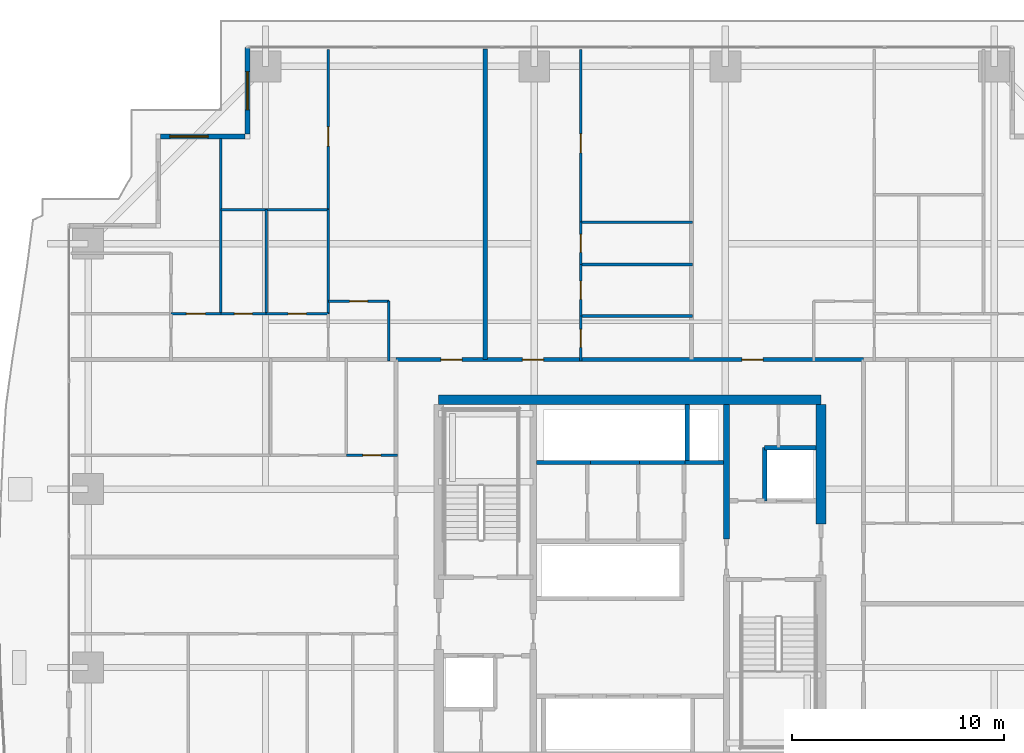
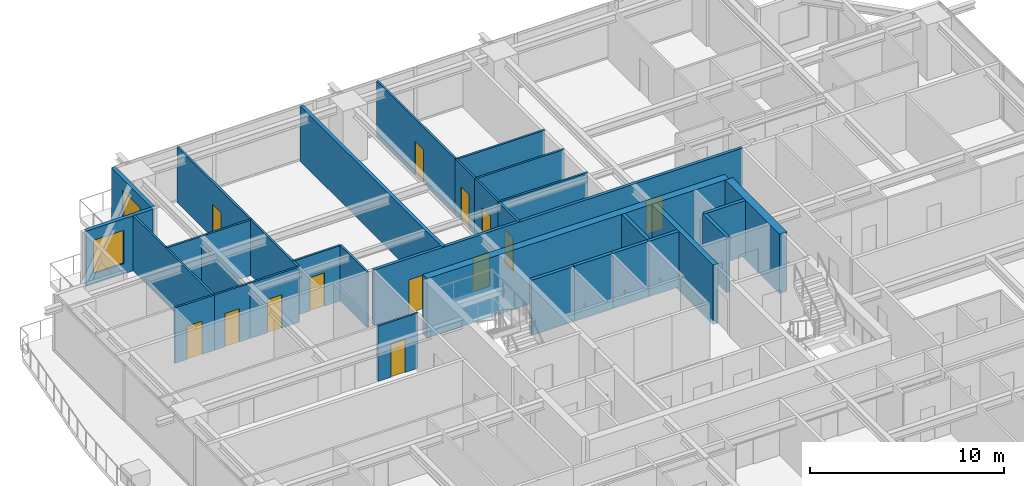
# One storey, part 30 of 39: 32 walls, 13 doors, 2 windows, 15 openings.
"""IFC4 building model written with IfcOpenShell, lengths in metres."""

from ifc_helpers import new_model, si_unit, direction, frame, frame_2d, origin, place, context, subcontext, project, spatial, rectangle, extrude, source, transform, mapped, material, layer, layer_set, type_object, element, fill, save


model = new_model("IFC4")

# Units and contexts
model_context = context("Model", 3, precision=1e-05, world=origin(), true_north=direction((0.0, 1.0)))
body_context = subcontext(model_context, "Body", "Model", "MODEL_VIEW")
ifc_project = project(units=[si_unit("LENGTHUNIT", "METRE"), si_unit("AREAUNIT", "SQUARE_METRE"), si_unit("VOLUMEUNIT", "CUBIC_METRE"), si_unit("PLANEANGLEUNIT", "RADIAN"), si_unit("MASSUNIT", "GRAM", prefix="KILO")], contexts=[model_context])

# Site, building, storey
site_placement = place(None, origin())
site = spatial("IfcSite", under=ifc_project, at=site_placement, CompositionType="ELEMENT")
building_placement = place(site_placement, origin())
building = spatial("IfcBuilding", under=site, at=building_placement, Name="Serunith Strait Residences", CompositionType="ELEMENT")
storey_placement = place(building_placement, frame((0.0, 0.0, 60.449951171875)))
storey = spatial("IfcBuildingStorey", under=building, at=storey_placement, Name="L14", CompositionType="ELEMENT", Elevation=60.449951171875)

# Wall, opening, window
ifc_material_1 = material(Name="Pale-Champagne Aluminium Insulated Panel", Category="aluminium")
ifc_layer_1 = layer(ifc_material_1, 0.219970703125, Name="Pale-Champagne Aluminium Insulated Panel")
ifc_layer_set_1 = layer_set([ifc_layer_1], Name="Pale-Champagne Aluminium Insulated Panel")
wall_type_1 = type_object("IfcWallType", Name="EW-ALUM-220", PredefinedType="ELEMENTEDWALL", material=ifc_layer_set_1)
wall_1_placement = place(storey_placement, frame((14.39990234375, 50.199951171875, 0.0), z_axis=(0.0, 0.0, 1.0), x_axis=(0.0, -1.0, 0.0)))
wall_1 = element("IfcWall", 1, at=wall_1_placement, inside=storey, type_object=wall_type_1, Name="L14 Girih Serrated Corner Wall 12", PredefinedType="ELEMENTEDWALL", context=body_context, shape_type="SweptSolid", body=[
    extrude(rectangle(XDim=4.08984375, YDim=0.219970703125, at=frame_2d((2.044921875, 0.0))), origin(), (0.0, 0.0, 1.0), 3.47509765625),
])
opening_1_placement = place(wall_1_placement, frame((1.14501953125, 0.0, 0.64990234375)))
opening_1 = element("IfcOpeningElement", 2, at=opening_1_placement, cuts=wall_1, Name="Opening W-01", PredefinedType="OPENING", context=body_context, shape_type="SweptSolid", body=[
    extrude(rectangle(XDim=1.800048828125, YDim=2.10009765625, at=frame_2d((0.89990234375, 1.050048828125))), frame((0.0, 0.1201171875, 0.0), z_axis=(0.0, -1.0, 0.0), x_axis=(1.0, 0.0, 0.0)), (0.0, 0.0, 1.0), 0.239990234375),
])
ifc_material_2 = material(Name="Ceramic-Fritted Operable Aluminium Window Glass", Category="aluminium")
window_type = type_object("IfcWindowType", Name="WIN-C1", PartitioningType="DOUBLE_PANEL_VERTICAL", PredefinedType="WINDOW", material=ifc_material_2)
shared_shape_1 = source(origin(), body_context, "Body", "SweptSolid", [
    extrude(rectangle(XDim=1.800048828125, YDim=2.10009765625, at=frame_2d((0.89990234375, 1.050048828125))), frame((0.0, 0.030029296875, 0.0), z_axis=(0.0, -1.0, 0.0), x_axis=(1.0, 0.0, 0.0)), (0.0, 0.0, 1.0), 0.06005859375),
])
window_1_placement = place(opening_1_placement, origin())
window_1 = element("IfcWindow", 3, at=window_1_placement, inside=storey, type_object=window_type, Name="L14 Corner Operable Fritted Window 12", OverallHeight=2.10009765625, OverallWidth=1.800048828125, PartitioningType="SINGLE_PANEL", PredefinedType="WINDOW", context=body_context, shape_type="MappedRepresentation", body=[
    mapped(shared_shape_1, transform((0.0, 0.0, 0.0), scale=1.0)),
])
fill(opening_1, window_1)

wall_2_placement = place(storey_placement, frame((14.2900390625, 46.0, 0.0), z_axis=(0.0, 0.0, 1.0), x_axis=(-1.0, 0.0, 0.0)))
wall_2 = element("IfcWall", 4, at=wall_2_placement, inside=storey, type_object=wall_type_1, Name="L14 Girih Serrated Corner Wall 13", PredefinedType="ELEMENTEDWALL", context=body_context, shape_type="SweptSolid", body=[
    extrude(rectangle(XDim=3.97998046875, YDim=0.219970703125, at=frame_2d((1.989990234375, 0.0))), origin(), (0.0, 0.0, 1.0), 3.47509765625),
])
opening_2_placement = place(wall_2_placement, frame((1.743896484375, 0.0, 0.64990234375)))
opening_2 = element("IfcOpeningElement", 5, at=opening_2_placement, cuts=wall_2, Name="Opening W-01", PredefinedType="OPENING", context=body_context, shape_type="SweptSolid", body=[
    extrude(rectangle(XDim=1.800048828125, YDim=2.10009765625, at=frame_2d((0.89990234375, 1.050048828125))), frame((0.0, 0.1201171875, 0.0), z_axis=(0.0, -1.0, 0.0), x_axis=(1.0, 0.0, 0.0)), (0.0, 0.0, 1.0), 0.239990234375),
])
window_2_placement = place(opening_2_placement, origin())
window_2 = element("IfcWindow", 6, at=window_2_placement, inside=storey, type_object=window_type, Name="L14 Corner Operable Fritted Window 13", OverallHeight=2.10009765625, OverallWidth=1.800048828125, PartitioningType="SINGLE_PANEL", PredefinedType="WINDOW", context=body_context, shape_type="MappedRepresentation", body=[
    mapped(shared_shape_1, transform((0.0, 0.0, 0.0), scale=1.0)),
])
fill(opening_2, window_2)

# Wall, openings, doors
ifc_material_3 = material(Name="Fire-rated acoustic gypsum partition")
ifc_layer_2 = layer(ifc_material_3, 0.179931640625, Name="Fire-rated acoustic gypsum partition")
ifc_layer_set_2 = layer_set([ifc_layer_2], Name="Fire-rated acoustic gypsum partition")
wall_type_2 = type_object("IfcWallType", Name="IW-CORR-180", PredefinedType="PARTITIONING", material=ifc_layer_set_2)
wall_3_placement = place(storey_placement, frame((21.402099609375, 35.5, 0.0), z_axis=(0.0, 0.0, 1.0), x_axis=(1.0, 0.0, 0.0)))
wall_3 = element("IfcWall", 7, at=wall_3_placement, inside=storey, type_object=wall_type_2, Name="L14 Partition Wall 027", PredefinedType="PARTITIONING", context=body_context, shape_type="SweptSolid", body=[
    extrude(rectangle(XDim=21.995849609375, YDim=0.179931640625, at=frame_2d((10.998046875, 0.0))), origin(), (0.0, 0.0, 1.0), 3.489990234375),
])
opening_3_placement = place(wall_3_placement, frame((2.10009765625, 0.0, 0.0)))
opening_3 = element("IfcOpeningElement", 8, at=opening_3_placement, cuts=wall_3, Name="Opening D-APT1000", PredefinedType="OPENING", context=body_context, shape_type="SweptSolid", body=[
    extrude(rectangle(XDim=1.0, YDim=2.14990234375, at=frame_2d((0.5, 1.074951171875))), frame((0.0, 0.10009765625, 0.0), z_axis=(0.0, -1.0, 0.0), x_axis=(1.0, 0.0, 0.0)), (0.0, 0.0, 1.0), 0.199951171875),
])
opening_4_placement = place(wall_3_placement, frame((5.94189453125, 0.0, 0.0)))
opening_4 = element("IfcOpeningElement", 9, at=opening_4_placement, cuts=wall_3, Name="Opening D-APT1000", PredefinedType="OPENING", context=body_context, shape_type="SweptSolid", body=[
    extrude(rectangle(XDim=1.0, YDim=2.14990234375, at=frame_2d((0.5, 1.074951171875))), frame((0.0, 0.10009765625, 0.0), z_axis=(0.0, -1.0, 0.0), x_axis=(1.0, 0.0, 0.0)), (0.0, 0.0, 1.0), 0.199951171875),
])
opening_5_placement = place(wall_3_placement, frame((16.27197265625, 0.0, 0.0)))
opening_5 = element("IfcOpeningElement", 10, at=opening_5_placement, cuts=wall_3, Name="Opening D-APT1000", PredefinedType="OPENING", context=body_context, shape_type="SweptSolid", body=[
    extrude(rectangle(XDim=1.0, YDim=2.14990234375, at=frame_2d((0.5, 1.074951171875))), frame((0.0, 0.10009765625, 0.0), z_axis=(0.0, -1.0, 0.0), x_axis=(1.0, 0.0, 0.0)), (0.0, 0.0, 1.0), 0.199951171875),
])
ifc_material_4 = material(Name="Solid timber engineered fire door", Category="wood")
door_type_1 = type_object("IfcDoorType", Name="ID-APT-1000", OperationType="NOTDEFINED", PredefinedType="DOOR", material=ifc_material_4)
shared_shape_2 = source(origin(), body_context, "Body", "SweptSolid", [
    extrude(rectangle(XDim=1.0, YDim=2.14990234375, at=frame_2d((0.5, 1.074951171875))), frame((0.0, 0.02490234375, 0.0), z_axis=(0.0, -1.0, 0.0), x_axis=(1.0, 0.0, 0.0)), (0.0, 0.0, 1.0), 0.050048828125),
])
door_1_placement = place(opening_3_placement, origin())
door_1 = element("IfcDoor", 11, at=door_1_placement, inside=storey, type_object=door_type_1, Name="L14 Unit 03 Entrance Door", OperationType="SINGLE_SWING_RIGHT", OverallHeight=2.14990234375, OverallWidth=1.0, PredefinedType="DOOR", context=body_context, shape_type="MappedRepresentation", body=[
    mapped(shared_shape_2, transform((0.0, 0.0, 0.0), scale=1.0)),
])
fill(opening_3, door_1)
door_2_placement = place(opening_4_placement, origin())
door_2 = element("IfcDoor", 12, at=door_2_placement, inside=storey, type_object=door_type_1, Name="L14 Unit 04 Entrance Door", OperationType="SINGLE_SWING_LEFT", OverallHeight=2.14990234375, OverallWidth=1.0, PredefinedType="DOOR", context=body_context, shape_type="MappedRepresentation", body=[
    mapped(shared_shape_2, transform((0.0, 0.0, 0.0), scale=1.0)),
])
fill(opening_4, door_2)
door_3_placement = place(opening_5_placement, origin())
door_3 = element("IfcDoor", 13, at=door_3_placement, inside=storey, type_object=door_type_1, Name="L14 Unit 05 Entrance Door", OperationType="SINGLE_SWING_RIGHT", OverallHeight=2.14990234375, OverallWidth=1.0, PredefinedType="DOOR", context=body_context, shape_type="MappedRepresentation", body=[
    mapped(shared_shape_2, transform((0.0, 0.0, 0.0), scale=1.0)),
])
fill(opening_5, door_3)

# Wall, opening, door
ifc_material_5 = material(Name="Lightweight steel-stud gypsum partition", Category="steel")
ifc_layer_3 = layer(ifc_material_5, 0.1201171875, Name="Lightweight steel-stud gypsum partition")
ifc_layer_set_3 = layer_set([ifc_layer_3], Name="Lightweight steel-stud gypsum partition")
wall_type_3 = type_object("IfcWallType", Name="IW-PART-120", PredefinedType="PARTITIONING", material=ifc_layer_set_3)
wall_4_placement = place(storey_placement, frame((18.2099609375, 38.25, 0.0), z_axis=(0.0, 0.0, 1.0), x_axis=(1.0, 0.0, 0.0)))
wall_4 = element("IfcWall", 14, at=wall_4_placement, inside=storey, type_object=wall_type_3, Name="L14 Partition Wall 064", PredefinedType="PARTITIONING", context=body_context, shape_type="SweptSolid", body=[
    extrude(rectangle(XDim=2.85009765625, YDim=0.1201171875, at=frame_2d((1.425048828125, 0.0))), origin(), (0.0, 0.0, 1.0), 3.489990234375),
])
opening_6_placement = place(wall_4_placement, frame((1.0, 0.0, 0.0)))
opening_6 = element("IfcOpeningElement", 15, at=opening_6_placement, cuts=wall_4, Name="Opening D-RM850", PredefinedType="OPENING", context=body_context, shape_type="SweptSolid", body=[
    extrude(rectangle(XDim=0.85009765625, YDim=2.10009765625, at=frame_2d((0.425048828125, 1.050048828125))), frame((0.0, 0.070068359375, 0.0), z_axis=(0.0, -1.0, 0.0), x_axis=(1.0, 0.0, 0.0)), (0.0, 0.0, 1.0), 0.14013671875),
])
ifc_material_6 = material(Name="Engineered timber flush study and kitchen door", Category="wood")
door_type_2 = type_object("IfcDoorType", Name="ID-ROOM-850", OperationType="NOTDEFINED", PredefinedType="DOOR", material=ifc_material_6)
shared_shape_3 = source(origin(), body_context, "Body", "SweptSolid", [
    extrude(rectangle(XDim=0.85009765625, YDim=2.10009765625, at=frame_2d((0.425048828125, 1.050048828125))), frame((0.0, 0.02490234375, 0.0), z_axis=(0.0, -1.0, 0.0), x_axis=(1.0, 0.0, 0.0)), (0.0, 0.0, 1.0), 0.050048828125),
])
door_4_placement = place(opening_6_placement, origin())
door_4 = element("IfcDoor", 16, at=door_4_placement, inside=storey, type_object=door_type_2, Name="L14 Kitchen 1403 Door", OperationType="SINGLE_SWING_LEFT", OverallHeight=2.10009765625, OverallWidth=0.85009765625, PredefinedType="DOOR", context=body_context, shape_type="MappedRepresentation", body=[
    mapped(shared_shape_3, transform((0.0, 0.0, 0.0), scale=1.0)),
])
fill(opening_6, door_4)

# Wall
wall_5_placement = place(storey_placement, frame((21.06005859375, 38.25, 0.0), z_axis=(0.0, 0.0, 1.0), x_axis=(0.0, -1.0, 0.0)))
element("IfcWall", 17, at=wall_5_placement, inside=storey, type_object=wall_type_3, Name="L14 Partition Wall 065", PredefinedType="PARTITIONING", context=body_context, shape_type="SweptSolid", body=[
    extrude(rectangle(XDim=2.81005859375, YDim=0.1201171875, at=frame_2d((1.405029296875, 0.0))), origin(), (0.0, 0.0, 1.0), 3.489990234375),
])

# Wall, opening, door
wall_6_placement = place(storey_placement, frame((18.2099609375, 50.10498046875, 0.0), z_axis=(0.0, 0.0, 1.0), x_axis=(0.0, -1.0, 0.0)))
wall_6 = element("IfcWall", 18, at=wall_6_placement, inside=storey, type_object=wall_type_3, Name="L14 Partition Wall 067", PredefinedType="PARTITIONING", context=body_context, shape_type="SweptSolid", body=[
    extrude(rectangle(XDim=7.546875, YDim=0.1201171875, at=frame_2d((3.7734375, 0.0))), origin(), (0.0, 0.0, 1.0), 3.489990234375),
])
opening_7_placement = place(wall_6_placement, frame((3.656005859375, 0.0, 0.0)))
opening_7 = element("IfcOpeningElement", 19, at=opening_7_placement, cuts=wall_6, Name="Opening D-RM900", PredefinedType="OPENING", context=body_context, shape_type="SweptSolid", body=[
    extrude(rectangle(XDim=0.89990234375, YDim=2.10009765625, at=frame_2d((0.449951171875, 1.050048828125))), frame((0.0, 0.070068359375, 0.0), z_axis=(0.0, -1.0, 0.0), x_axis=(1.0, 0.0, 0.0)), (0.0, 0.0, 1.0), 0.14013671875),
])
ifc_material_7 = material(Name="Engineered timber flush bedroom door", Category="wood")
door_type_3 = type_object("IfcDoorType", Name="ID-ROOM-900", OperationType="NOTDEFINED", PredefinedType="DOOR", material=ifc_material_7)
shared_shape_4 = source(origin(), body_context, "Body", "SweptSolid", [
    extrude(rectangle(XDim=0.89990234375, YDim=2.10009765625, at=frame_2d((0.449951171875, 1.050048828125))), frame((0.0, 0.02490234375, 0.0), z_axis=(0.0, -1.0, 0.0), x_axis=(1.0, 0.0, 0.0)), (0.0, 0.0, 1.0), 0.050048828125),
])
door_5_placement = place(opening_7_placement, origin())
door_5 = element("IfcDoor", 20, at=door_5_placement, inside=storey, type_object=door_type_3, Name="L14 Formal Dining Room 1 1403 Door", OperationType="SINGLE_SWING_LEFT", OverallHeight=2.10009765625, OverallWidth=0.89990234375, PredefinedType="DOOR", context=body_context, shape_type="MappedRepresentation", body=[
    mapped(shared_shape_4, transform((0.0, 0.0, 0.0), scale=1.0)),
])
fill(opening_7, door_5)

# Walls
wall_7_placement = place(storey_placement, frame((18.2099609375, 42.555908203125, 0.0), z_axis=(0.0, 0.0, 1.0), x_axis=(0.0, -1.0, 0.0)))
element("IfcWall", 21, at=wall_7_placement, inside=storey, type_object=wall_type_3, Name="L14 Partition Wall 068", PredefinedType="PARTITIONING", context=body_context, shape_type="SweptSolid", body=[
    extrude(rectangle(XDim=4.90380859375, YDim=0.1201171875, at=frame_2d((2.451904296875, 0.0))), origin(), (0.0, 0.0, 1.0), 3.489990234375),
])
wall_8_placement = place(storey_placement, frame((13.14990234375, 42.55810546875, 0.0), z_axis=(0.0, 0.0, 1.0), x_axis=(1.0, 0.0, 0.0)))
element("IfcWall", 22, at=wall_8_placement, inside=storey, type_object=wall_type_3, Name="L14 Partition Wall 069", PredefinedType="PARTITIONING", context=body_context, shape_type="SweptSolid", body=[
    extrude(rectangle(XDim=5.06005859375, YDim=0.1201171875, at=frame_2d((2.530029296875, 0.0))), origin(), (0.0, 0.0, 1.0), 3.489990234375),
])
wall_9_placement = place(storey_placement, frame((13.14990234375, 45.905029296875, 0.0), z_axis=(0.0, 0.0, 1.0), x_axis=(0.0, -1.0, 0.0)))
element("IfcWall", 23, at=wall_9_placement, inside=storey, type_object=wall_type_3, Name="L14 Partition Wall 070", PredefinedType="PARTITIONING", context=body_context, shape_type="SweptSolid", body=[
    extrude(rectangle(XDim=8.255126953125, YDim=0.1201171875, at=frame_2d((4.12744140625, 0.0))), origin(), (0.0, 0.0, 1.0), 3.489990234375),
])
wall_10_placement = place(storey_placement, frame((15.27490234375, 42.55810546875, 0.0), z_axis=(0.0, 0.0, 1.0), x_axis=(0.0, -1.0, 0.0)))
element("IfcWall", 24, at=wall_10_placement, inside=storey, type_object=wall_type_3, Name="L14 Partition Wall 071", PredefinedType="PARTITIONING", context=body_context, shape_type="SweptSolid", body=[
    extrude(rectangle(XDim=4.908203125, YDim=0.1201171875, at=frame_2d((2.4541015625, 0.0))), origin(), (0.0, 0.0, 1.0), 2.922119140625),
])

# Wall, opening, door
wall_11_placement = place(storey_placement, frame((13.14990234375, 37.64990234375, 0.0), z_axis=(0.0, 0.0, 1.0), x_axis=(1.0, 0.0, 0.0)))
wall_11 = element("IfcWall", 25, at=wall_11_placement, inside=storey, type_object=wall_type_3, Name="L14 Partition Wall 072", PredefinedType="PARTITIONING", context=body_context, shape_type="SweptSolid", body=[
    extrude(rectangle(XDim=2.125, YDim=0.1201171875, at=frame_2d((1.0625, 0.0))), origin(), (0.0, 0.0, 1.0), 3.489990234375),
])
opening_8_placement = place(wall_11_placement, frame((0.636962890625, 0.0, 0.0)))
opening_8 = element("IfcOpeningElement", 26, at=opening_8_placement, cuts=wall_11, Name="Opening D-BTH850", PredefinedType="OPENING", context=body_context, shape_type="SweptSolid", body=[
    extrude(rectangle(XDim=0.85009765625, YDim=2.10009765625, at=frame_2d((0.425048828125, 1.050048828125))), frame((0.0, 0.070068359375, 0.0), z_axis=(0.0, -1.0, 0.0), x_axis=(1.0, 0.0, 0.0)), (0.0, 0.0, 1.0), 0.14013671875),
])
ifc_material_8 = material(Name="Moisture-resistant timber bathroom door", Category="wood")
door_type_4 = type_object("IfcDoorType", Name="ID-BATH-850", OperationType="NOTDEFINED", PredefinedType="DOOR", material=ifc_material_8)
door_6_placement = place(opening_8_placement, origin())
door_6 = element("IfcDoor", 27, at=door_6_placement, inside=storey, type_object=door_type_4, Name="L14 Bathroom 1403 Door", OperationType="SINGLE_SWING_RIGHT", OverallHeight=2.10009765625, OverallWidth=0.85009765625, PredefinedType="DOOR", context=body_context, shape_type="MappedRepresentation", body=[
    mapped(shared_shape_3, transform((0.0, 0.0, 0.0), scale=1.0)),
])
fill(opening_8, door_6)

wall_12_placement = place(storey_placement, frame((15.277099609375, 37.64990234375, 0.0), z_axis=(0.0, 0.0, 1.0), x_axis=(1.0, 0.0, 0.0)))
wall_12 = element("IfcWall", 28, at=wall_12_placement, inside=storey, type_object=wall_type_3, Name="L14 Partition Wall 073", PredefinedType="PARTITIONING", context=body_context, shape_type="SweptSolid", body=[
    extrude(rectangle(XDim=2.932861328125, YDim=0.1201171875, at=frame_2d((1.46630859375, 0.0))), origin(), (0.0, 0.0, 1.0), 3.489990234375),
])
opening_9_placement = place(wall_12_placement, frame((1.0419921875, 0.0, 0.0)))
opening_9 = element("IfcOpeningElement", 29, at=opening_9_placement, cuts=wall_12, Name="Opening D-RM850", PredefinedType="OPENING", context=body_context, shape_type="SweptSolid", body=[
    extrude(rectangle(XDim=0.85009765625, YDim=2.10009765625, at=frame_2d((0.425048828125, 1.050048828125))), frame((0.0, 0.070068359375, 0.0), z_axis=(0.0, -1.0, 0.0), x_axis=(1.0, 0.0, 0.0)), (0.0, 0.0, 1.0), 0.14013671875),
])
door_7_placement = place(opening_9_placement, origin())
door_7 = element("IfcDoor", 30, at=door_7_placement, inside=storey, type_object=door_type_2, Name="L14 Formal Dining Room 1403 Door", OperationType="SINGLE_SWING_LEFT", OverallHeight=2.10009765625, OverallWidth=0.85009765625, PredefinedType="DOOR", context=body_context, shape_type="MappedRepresentation", body=[
    mapped(shared_shape_3, transform((0.0, 0.0, 0.0), scale=1.0)),
])
fill(opening_9, door_7)

wall_13_placement = place(storey_placement, frame((10.800048828125, 37.64990234375, 0.0), z_axis=(0.0, 0.0, 1.0), x_axis=(1.0, 0.0, 0.0)))
wall_13 = element("IfcWall", 31, at=wall_13_placement, inside=storey, type_object=wall_type_3, Name="L14 Partition Wall 074", PredefinedType="PARTITIONING", context=body_context, shape_type="SweptSolid", body=[
    extrude(rectangle(XDim=2.347900390625, YDim=0.1201171875, at=frame_2d((1.173828125, 0.0))), origin(), (0.0, 0.0, 1.0), 3.489990234375),
])
opening_10_placement = place(wall_13_placement, frame((0.72412109375, 0.0, 0.0)))
opening_10 = element("IfcOpeningElement", 32, at=opening_10_placement, cuts=wall_13, Name="Opening D-RM900", PredefinedType="OPENING", context=body_context, shape_type="SweptSolid", body=[
    extrude(rectangle(XDim=0.89990234375, YDim=2.10009765625, at=frame_2d((0.449951171875, 1.050048828125))), frame((0.0, 0.070068359375, 0.0), z_axis=(0.0, -1.0, 0.0), x_axis=(1.0, 0.0, 0.0)), (0.0, 0.0, 1.0), 0.14013671875),
])
door_8_placement = place(opening_10_placement, origin())
door_8 = element("IfcDoor", 33, at=door_8_placement, inside=storey, type_object=door_type_3, Name="L14 Master Bedroom W 1403 Door", OperationType="SINGLE_SWING_RIGHT", OverallHeight=2.10009765625, OverallWidth=0.89990234375, PredefinedType="DOOR", context=body_context, shape_type="MappedRepresentation", body=[
    mapped(shared_shape_4, transform((0.0, 0.0, 0.0), scale=1.0)),
])
fill(opening_10, door_8)

wall_14_placement = place(storey_placement, frame((30.10009765625, 50.10498046875, 0.0), z_axis=(0.0, 0.0, 1.0), x_axis=(0.0, -1.0, 0.0)))
wall_14 = element("IfcWall", 34, at=wall_14_placement, inside=storey, type_object=wall_type_3, Name="L14 Partition Wall 079", PredefinedType="PARTITIONING", context=body_context, shape_type="SweptSolid", body=[
    extrude(rectangle(XDim=8.132080078125, YDim=0.1201171875, at=frame_2d((4.06591796875, 0.0))), origin(), (0.0, 0.0, 1.0), 3.489990234375),
])
opening_11_placement = place(wall_14_placement, frame((3.97802734375, 0.0, 0.0)))
opening_11 = element("IfcOpeningElement", 35, at=opening_11_placement, cuts=wall_14, Name="Opening D-RM900", PredefinedType="OPENING", context=body_context, shape_type="SweptSolid", body=[
    extrude(rectangle(XDim=0.89990234375, YDim=2.10009765625, at=frame_2d((0.449951171875, 1.050048828125))), frame((0.0, 0.070068359375, 0.0), z_axis=(0.0, -1.0, 0.0), x_axis=(1.0, 0.0, 0.0)), (0.0, 0.0, 1.0), 0.14013671875),
])
door_9_placement = place(opening_11_placement, origin())
door_9 = element("IfcDoor", 36, at=door_9_placement, inside=storey, type_object=door_type_3, Name="L14 Master Bedroom 1 1404 Door", OperationType="SINGLE_SWING_LEFT", OverallHeight=2.10009765625, OverallWidth=0.89990234375, PredefinedType="DOOR", context=body_context, shape_type="MappedRepresentation", body=[
    mapped(shared_shape_4, transform((0.0, 0.0, 0.0), scale=1.0)),
])
fill(opening_11, door_9)

# Walls
for number, where, z_axis, x_axis, name in (
    (37, (30.10009765625, 41.972900390625, 0.0), (0.0, 0.0, 1.0), (1.0, 0.0, 0.0), "L14 Partition Wall 080"),
    (38, (30.10009765625, 39.972900390625, 0.0), (0.0, 0.0, 1.0), (1.0, 0.0, 0.0), "L14 Partition Wall 081"),
    (39, (30.10009765625, 37.550048828125, 0.0), (0.0, 0.0, 1.0), (1.0, 0.0, 0.0), "L14 Partition Wall 082"),
):
    element("IfcWall", number, at=place(storey_placement, frame(where, z_axis=z_axis, x_axis=x_axis)), inside=storey, type_object=wall_type_3, Name=name, PredefinedType="PARTITIONING", context=body_context, shape_type="SweptSolid", body=[
        extrude(rectangle(XDim=5.260009765625, YDim=0.1201171875, at=frame_2d((2.6298828125, 0.0))), origin(), (0.0, 0.0, 1.0), 3.489990234375),
    ])

# Wall, opening, door
wall_15_placement = place(storey_placement, frame((30.10009765625, 41.970947265625, 0.0), z_axis=(0.0, 0.0, 1.0), x_axis=(0.0, -1.0, 0.0)))
wall_15 = element("IfcWall", 40, at=wall_15_placement, inside=storey, type_object=wall_type_3, Name="L14 Partition Wall 083", PredefinedType="PARTITIONING", context=body_context, shape_type="SweptSolid", body=[
    extrude(rectangle(XDim=1.998046875, YDim=0.1201171875, at=frame_2d((0.9990234375, 0.0))), origin(), (0.0, 0.0, 1.0), 3.489990234375),
])
opening_12_placement = place(wall_15_placement, frame((0.573974609375, 0.0, 0.0)))
opening_12 = element("IfcOpeningElement", 41, at=opening_12_placement, cuts=wall_15, Name="Opening D-RM850", PredefinedType="OPENING", context=body_context, shape_type="SweptSolid", body=[
    extrude(rectangle(XDim=0.85009765625, YDim=2.10009765625, at=frame_2d((0.425048828125, 1.050048828125))), frame((0.0, 0.070068359375, 0.0), z_axis=(0.0, -1.0, 0.0), x_axis=(1.0, 0.0, 0.0)), (0.0, 0.0, 1.0), 0.14013671875),
])
door_10_placement = place(opening_12_placement, origin())
door_10 = element("IfcDoor", 42, at=door_10_placement, inside=storey, type_object=door_type_2, Name="L14 Dining 1404 Door", OperationType="SINGLE_SWING_RIGHT", OverallHeight=2.10009765625, OverallWidth=0.85009765625, PredefinedType="DOOR", context=body_context, shape_type="MappedRepresentation", body=[
    mapped(shared_shape_3, transform((0.0, 0.0, 0.0), scale=1.0)),
])
fill(opening_12, door_10)

wall_16_placement = place(storey_placement, frame((30.10009765625, 39.970947265625, 0.0), z_axis=(0.0, 0.0, 1.0), x_axis=(0.0, -1.0, 0.0)))
wall_16 = element("IfcWall", 43, at=wall_16_placement, inside=storey, type_object=wall_type_3, Name="L14 Partition Wall 084", PredefinedType="PARTITIONING", context=body_context, shape_type="SweptSolid", body=[
    extrude(rectangle(XDim=2.4208984375, YDim=0.1201171875, at=frame_2d((1.21044921875, 0.0))), origin(), (0.0, 0.0, 1.0), 3.489990234375),
])
opening_13_placement = place(wall_16_placement, frame((0.784912109375, 0.0, 0.0)))
opening_13 = element("IfcOpeningElement", 44, at=opening_13_placement, cuts=wall_16, Name="Opening D-RM850", PredefinedType="OPENING", context=body_context, shape_type="SweptSolid", body=[
    extrude(rectangle(XDim=0.85009765625, YDim=2.10009765625, at=frame_2d((0.425048828125, 1.050048828125))), frame((0.0, 0.070068359375, 0.0), z_axis=(0.0, -1.0, 0.0), x_axis=(1.0, 0.0, 0.0)), (0.0, 0.0, 1.0), 0.14013671875),
])
door_11_placement = place(opening_13_placement, origin())
door_11 = element("IfcDoor", 45, at=door_11_placement, inside=storey, type_object=door_type_2, Name="L14 Kitchen 1404 Door", OperationType="SINGLE_SWING_LEFT", OverallHeight=2.10009765625, OverallWidth=0.85009765625, PredefinedType="DOOR", context=body_context, shape_type="MappedRepresentation", body=[
    mapped(shared_shape_3, transform((0.0, 0.0, 0.0), scale=1.0)),
])
fill(opening_13, door_11)

wall_17_placement = place(storey_placement, frame((30.10009765625, 37.548095703125, 0.0), z_axis=(0.0, 0.0, 1.0), x_axis=(0.0, -1.0, 0.0)))
wall_17 = element("IfcWall", 46, at=wall_17_placement, inside=storey, type_object=wall_type_3, Name="L14 Partition Wall 085", PredefinedType="PARTITIONING", context=body_context, shape_type="SweptSolid", body=[
    extrude(rectangle(XDim=2.108154296875, YDim=0.1201171875, at=frame_2d((1.05419921875, 0.0))), origin(), (0.0, 0.0, 1.0), 3.489990234375),
])
opening_14_placement = place(wall_17_placement, frame((0.62890625, 0.0, 0.0)))
opening_14 = element("IfcOpeningElement", 47, at=opening_14_placement, cuts=wall_17, Name="Opening D-BTH850", PredefinedType="OPENING", context=body_context, shape_type="SweptSolid", body=[
    extrude(rectangle(XDim=0.85009765625, YDim=2.10009765625, at=frame_2d((0.425048828125, 1.050048828125))), frame((0.0, 0.070068359375, 0.0), z_axis=(0.0, -1.0, 0.0), x_axis=(1.0, 0.0, 0.0)), (0.0, 0.0, 1.0), 0.14013671875),
])
door_12_placement = place(opening_14_placement, origin())
door_12 = element("IfcDoor", 48, at=door_12_placement, inside=storey, type_object=door_type_4, Name="L14 Bathroom 1404 Door", OperationType="SINGLE_SWING_RIGHT", OverallHeight=2.10009765625, OverallWidth=0.85009765625, PredefinedType="DOOR", context=body_context, shape_type="MappedRepresentation", body=[
    mapped(shared_shape_3, transform((0.0, 0.0, 0.0), scale=1.0)),
])
fill(opening_14, door_12)

wall_18_placement = place(storey_placement, frame((19.05810546875, 31.0, 0.0), z_axis=(0.0, 0.0, 1.0), x_axis=(1.0, 0.0, 0.0)))
wall_18 = element("IfcWall", 49, at=wall_18_placement, inside=storey, type_object=wall_type_3, Name="L14 Partition Wall 113", PredefinedType="PARTITIONING", context=body_context, shape_type="SweptSolid", body=[
    extrude(rectangle(XDim=2.40185546875, YDim=0.1201171875, at=frame_2d((1.200927734375, 0.0))), origin(), (0.0, 0.0, 1.0), 3.489990234375),
])
opening_15_placement = place(wall_18_placement, frame((0.77587890625, 0.0, 0.0)))
opening_15 = element("IfcOpeningElement", 50, at=opening_15_placement, cuts=wall_18, Name="Opening D-BTH850", PredefinedType="OPENING", context=body_context, shape_type="SweptSolid", body=[
    extrude(rectangle(XDim=0.85009765625, YDim=2.10009765625, at=frame_2d((0.425048828125, 1.050048828125))), frame((0.0, 0.070068359375, 0.0), z_axis=(0.0, -1.0, 0.0), x_axis=(1.0, 0.0, 0.0)), (0.0, 0.0, 1.0), 0.14013671875),
])
door_13_placement = place(opening_15_placement, origin())
door_13 = element("IfcDoor", 51, at=door_13_placement, inside=storey, type_object=door_type_4, Name="L14 Bathroom 1407 Door", OperationType="SINGLE_SWING_LEFT", OverallHeight=2.10009765625, OverallWidth=0.85009765625, PredefinedType="DOOR", context=body_context, shape_type="MappedRepresentation", body=[
    mapped(shared_shape_3, transform((0.0, 0.0, 0.0), scale=1.0)),
])
fill(opening_15, door_13)

# Walls
ifc_material_9 = material(Name="Twin-stud acoustic gypsum board partition")
ifc_layer_4 = layer(ifc_material_9, 0.199951171875, Name="Twin-stud acoustic gypsum board partition")
ifc_layer_set_4 = layer_set([ifc_layer_4], Name="Twin-stud acoustic gypsum board partition")
wall_type_4 = type_object("IfcWallType", Name="IW-PARTY-200", PredefinedType="PARTITIONING", material=ifc_layer_set_4)
wall_19_placement = place(storey_placement, frame((25.60009765625, 35.5, 0.0), z_axis=(0.0, 0.0, 1.0), x_axis=(0.0, 1.0, 0.0)))
element("IfcWall", 52, at=wall_19_placement, inside=storey, type_object=wall_type_4, Name="L14 Partition Wall 018", PredefinedType="PARTITIONING", context=body_context, shape_type="SweptSolid", body=[
    extrude(rectangle(XDim=14.617919921875, YDim=0.199951171875, at=frame_2d((7.30908203125, 0.0))), origin(), (0.0, 0.0, 1.0), 3.489990234375),
])
ifc_material_10 = material(Name="Autoclaved aerated concrete blockwork", Category="masonry")
ifc_layer_5 = layer(ifc_material_10, 0.199951171875, Name="Autoclaved aerated concrete blockwork")
ifc_layer_set_5 = layer_set([ifc_layer_5], Name="Autoclaved aerated concrete blockwork")
wall_type_5 = type_object("IfcWallType", Name="IW-SHAFT-200", PredefinedType="STANDARD", material=ifc_layer_set_5)
wall_20_placement = place(storey_placement, frame((28.0, 30.64990234375, 0.0), z_axis=(0.0, 0.0, 1.0), x_axis=(1.0, 0.0, 0.0)))
element("IfcWall", 53, at=wall_20_placement, inside=storey, type_object=wall_type_5, Name="L14 PL-7 South Shaft Wall", PredefinedType="STANDARD", context=body_context, shape_type="SweptSolid", body=[
    extrude(rectangle(XDim=2.550048828125, YDim=0.199951171875, at=frame_2d((1.27490234375, 0.0))), origin(), (0.0, 0.0, 1.0), 3.489990234375),
])
wall_21_placement = place(storey_placement, frame((30.550048828125, 30.64990234375, 0.0), z_axis=(0.0, 0.0, 1.0), x_axis=(1.0, 0.0, 0.0)))
element("IfcWall", 54, at=wall_21_placement, inside=storey, type_object=wall_type_5, Name="L14 PL-8 South Shaft Wall", PredefinedType="STANDARD", context=body_context, shape_type="SweptSolid", body=[
    extrude(rectangle(XDim=2.300048828125, YDim=0.199951171875, at=frame_2d((1.14990234375, 0.0))), origin(), (0.0, 0.0, 1.0), 3.489990234375),
])
wall_22_placement = place(storey_placement, frame((32.85009765625, 30.64990234375, 0.0), z_axis=(0.0, 0.0, 1.0), x_axis=(1.0, 0.0, 0.0)))
element("IfcWall", 55, at=wall_22_placement, inside=storey, type_object=wall_type_5, Name="L14 PL-9 South Shaft Wall", PredefinedType="STANDARD", context=body_context, shape_type="SweptSolid", body=[
    extrude(rectangle(XDim=2.14990234375, YDim=0.199951171875, at=frame_2d((1.074951171875, 0.0))), origin(), (0.0, 0.0, 1.0), 3.489990234375),
])
wall_23_placement = place(storey_placement, frame((35.0, 30.64990234375, 0.0), z_axis=(0.0, 0.0, 1.0), x_axis=(1.0, 0.0, 0.0)))
element("IfcWall", 56, at=wall_23_placement, inside=storey, type_object=wall_type_5, Name="L14 SL-1 South Shaft Wall", PredefinedType="STANDARD", context=body_context, shape_type="SweptSolid", body=[
    extrude(rectangle(XDim=1.800048828125, YDim=0.199951171875, at=frame_2d((0.89990234375, 0.0))), origin(), (0.0, 0.0, 1.0), 3.489990234375),
])
wall_24_placement = place(storey_placement, frame((35.10009765625, 30.75, 0.0), z_axis=(0.0, 0.0, 1.0), x_axis=(0.0, 1.0, 0.0)))
element("IfcWall", 57, at=wall_24_placement, inside=storey, type_object=wall_type_5, Name="L14 SL-1 West Shaft Wall", PredefinedType="STANDARD", context=body_context, shape_type="SweptSolid", body=[
    extrude(rectangle(XDim=2.625, YDim=0.199951171875, at=frame_2d((1.3125, 0.0))), origin(), (0.0, 0.0, 1.0), 3.489990234375),
])
wall_25_placement = place(storey_placement, frame((38.75, 28.85009765625, 0.0), z_axis=(0.0, 0.0, 1.0), x_axis=(0.0, 1.0, 0.0)))
element("IfcWall", 58, at=wall_25_placement, inside=storey, type_object=wall_type_5, Name="L14 Partition Wall 004", PredefinedType="STANDARD", context=body_context, shape_type="SweptSolid", body=[
    extrude(rectangle(XDim=2.5, YDim=0.199951171875, at=frame_2d((1.25, 0.0))), origin(), (0.0, 0.0, 1.0), 3.489990234375),
])
wall_26_placement = place(storey_placement, frame((38.75, 31.35009765625, 0.0), z_axis=(0.0, 0.0, 1.0), x_axis=(1.0, 0.0, 0.0)))
element("IfcWall", 59, at=wall_26_placement, inside=storey, type_object=wall_type_5, Name="L14 Partition Wall 005", PredefinedType="STANDARD", context=body_context, shape_type="SweptSolid", body=[
    extrude(rectangle(XDim=2.425048828125, YDim=0.199951171875, at=frame_2d((1.21240234375, 0.0))), origin(), (0.0, 0.0, 1.0), 3.489990234375),
])
ifc_material_11 = material(Name="Concrete C80/95", Category="concrete")
ifc_layer_6 = layer(ifc_material_11, 0.300048828125, Name="Concrete C80/95")
ifc_layer_set_6 = layer_set([ifc_layer_6], Name="Concrete C80/95")
wall_type_6 = type_object("IfcWallType", Name="SW-300-C80", PredefinedType="SHEAR", material=ifc_layer_set_6)
wall_27_placement = place(storey_placement, frame((36.949951171875, 27.050048828125, -0.260009765625), z_axis=(0.0, 0.0, 1.0), x_axis=(0.0, 1.0, 0.0)))
element("IfcWall", 60, at=wall_27_placement, inside=storey, type_object=wall_type_6, Name="L14 Core Internal East Web North Pier", PredefinedType="SHEAR", context=body_context, shape_type="SweptSolid", body=[
    extrude(rectangle(XDim=6.324951171875, YDim=0.300048828125, at=frame_2d((3.16259765625, 0.0))), origin(), (0.0, 0.0, 1.0), 3.748046875),
])
ifc_layer_7 = layer(ifc_material_11, 0.449951171875, Name="Concrete C80/95")
ifc_layer_set_7 = layer_set([ifc_layer_7], Name="Concrete C80/95")
wall_type_7 = type_object("IfcWallType", Name="SW-450-C80", PredefinedType="SHEAR", material=ifc_layer_set_7)
wall_28_placement = place(storey_placement, frame((41.39990234375, 33.60009765625, -0.260009765625), z_axis=(0.0, 0.0, 1.0), x_axis=(-1.0, 0.0, 0.0)))
element("IfcWall", 61, at=wall_28_placement, inside=storey, type_object=wall_type_7, Name="L14 Core North Shear Wall", PredefinedType="SHEAR", context=body_context, shape_type="SweptSolid", body=[
    extrude(rectangle(XDim=18.0, YDim=0.449951171875, at=frame_2d((9.0, 0.0))), origin(), (0.0, 0.0, 1.0), 3.748046875),
])
wall_29_placement = place(storey_placement, frame((41.39990234375, 27.75, -0.260009765625), z_axis=(0.0, 0.0, 1.0), x_axis=(0.0, 1.0, 0.0)))
element("IfcWall", 62, at=wall_29_placement, inside=storey, type_object=wall_type_7, Name="L14 Core East Shear Wall North Pier", PredefinedType="SHEAR", context=body_context, shape_type="SweptSolid", body=[
    extrude(rectangle(XDim=5.625, YDim=0.449951171875, at=frame_2d((2.8125, 0.0))), origin(), (0.0, 0.0, 1.0), 3.748046875),
])

save(model, "model.ifc")
